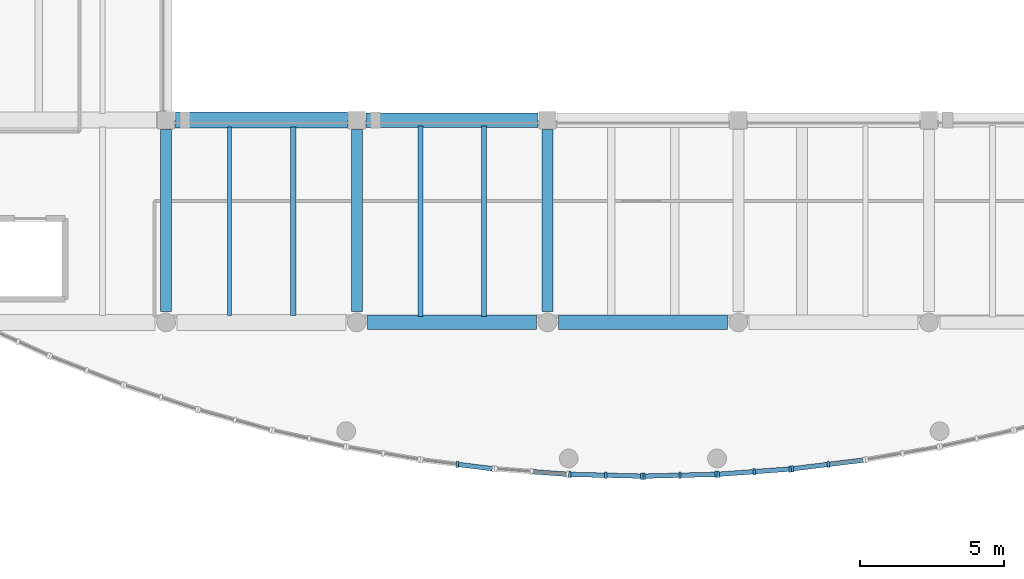
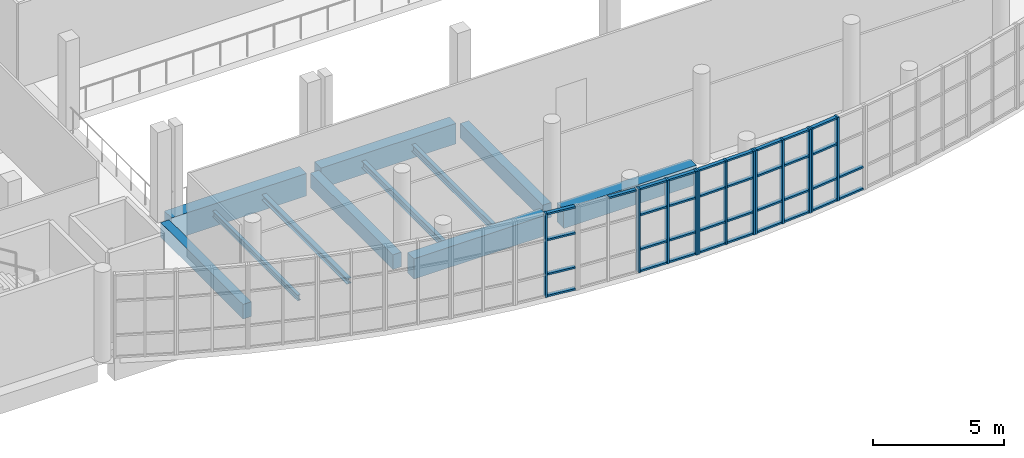
# One storey, part 11 of 67: 47 members, 11 beams, 6 elements without a shape of their own.
"""IFC4 building model written with IfcOpenShell, lengths in metres."""

import ifcopenshell
import ifcopenshell.guid

model = None  # the IFC model being written
_history = None  # IfcOwnerHistory: only IFC2X3 demands one
_inside = {}  # id of a spatial element -> (the spatial element, [elements in it])
_under = {}  # id of a project, library or spatial element -> (it, [spatial elements below it])
_declared = {}  # id of a project -> (the project, [libraries it declares])
_typed = {}  # id of a type object -> (the type object, [elements of that type])
_made_of = {}  # id of a material, layer set ... -> (it, [elements and type objects made of it])


def new_model(schema):
    """Start an empty IFC model of exactly this schema.

    Asked for "IFC4X3", IfcOpenShell would pick the latest addendum, in which some entities
    have other attributes; the version numbers below select the first issue.
    IFC2X3 requires an IfcOwnerHistory on every rooted entity: one is made here for all.
    """
    global model, _history
    if schema == "IFC4X3":
        model = ifcopenshell.file(schema_version=(4, 3, 0, 0))
    else:
        model = ifcopenshell.file(schema=schema)
    _inside.clear()
    _under.clear()
    _declared.clear()
    _typed.clear()
    _made_of.clear()
    _history = None
    if model.schema == "IFC2X3":
        org = make("IfcOrganization", Name="unknown")
        user = make(
            "IfcPersonAndOrganization",
            ThePerson=make("IfcPerson", FamilyName="unknown"),
            TheOrganization=org,
        )
        app = make(
            "IfcApplication",
            ApplicationDeveloper=org,
            Version="unknown",
            ApplicationFullName="unknown",
            ApplicationIdentifier="unknown",
        )
        _history = make(
            "IfcOwnerHistory",
            OwningUser=user,
            OwningApplication=app,
            ChangeAction="ADDED",
            CreationDate=0,
        )
    return model


def make(cls, **values):
    """One entity of the class cls with the attributes given. An attribute that is None is left unset."""
    return model.create_entity(
        cls, **{name: value for name, value in values.items() if value is not None}
    )


def rooted(cls, **values):
    """An entity with a GlobalId (a new one), such as an element, a storey or a relation."""
    return make(cls, GlobalId=ifcopenshell.guid.new(), OwnerHistory=_history, **values)


def si_unit(unit_type, name, prefix=None):
    """IfcSIUnit, for example si_unit("LENGTHUNIT", "METRE", prefix="MILLI")."""
    return make("IfcSIUnit", UnitType=unit_type, Prefix=prefix, Name=name)


def assignment(units):
    """IfcUnitAssignment: the units of a project."""
    return None if units is None else make("IfcUnitAssignment", Units=units)


def point(xyz):
    """IfcCartesianPoint."""
    return None if xyz is None else make("IfcCartesianPoint", Coordinates=xyz)


def direction(xyz):
    """IfcDirection."""
    return None if xyz is None else make("IfcDirection", DirectionRatios=xyz)


def frame(location, z_axis=None, x_axis=None):
    """IfcAxis2Placement3D, a coordinate frame: its origin and axes. An axis left out is left unset."""
    return make(
        "IfcAxis2Placement3D",
        Location=point(location),
        Axis=direction(z_axis),
        RefDirection=direction(x_axis),
    )


def frame_2d(location, x_axis=None):
    """IfcAxis2Placement2D, a coordinate frame in the plane: its origin and x axis."""
    return make(
        "IfcAxis2Placement2D", Location=point(location), RefDirection=direction(x_axis)
    )


def origin():
    """The frame at (0, 0, 0) with its axes left unset."""
    return frame((0.0, 0.0, 0.0))


def origin_2d():
    """The frame at (0, 0) in the plane with its x axis left unset."""
    return frame_2d((0.0, 0.0))


def place(relative_to, where):
    """IfcLocalPlacement: puts the frame where relative to a parent placement (None: the world)."""
    return make(
        "IfcLocalPlacement", PlacementRelTo=relative_to, RelativePlacement=where
    )


def context(
    kind, dimensions, precision=None, world=None, true_north=None, identifier=None
):
    """IfcGeometricRepresentationContext, for example the 3D "Model" context."""
    return make(
        "IfcGeometricRepresentationContext",
        ContextIdentifier=identifier,
        ContextType=kind,
        CoordinateSpaceDimension=dimensions,
        Precision=precision,
        WorldCoordinateSystem=world,
        TrueNorth=true_north,
    )


def subcontext(parent, identifier, kind, view, scale=None):
    """IfcGeometricRepresentationSubContext, for example "Body" below "Model"."""
    return make(
        "IfcGeometricRepresentationSubContext",
        ContextIdentifier=identifier,
        ContextType=kind,
        ParentContext=parent,
        TargetScale=scale,
        TargetView=view,
    )


def project(units=None, contexts=None):
    """IfcProject with its units and contexts."""
    return rooted(
        "IfcProject",
        Name="project",
        RepresentationContexts=contexts,
        UnitsInContext=assignment(units),
    )


def spatial(cls, under=None, at=None, **own):
    """A site, building, storey or space (cls), placed at a placement, below another one or the project."""
    s = rooted(cls, ObjectPlacement=at, **own)
    if under is not None:
        _under.setdefault(under.id(), (under, []))[1].append(s)
    return s


def profile(cls, at=None, kind="AREA", **sizes):
    """A parametric profile (cls). Its sizes go by their IFC names, for example OverallWidth=200.0."""
    return make(cls, ProfileType=kind, Position=at, **sizes)


def rectangle(**sizes):
    """IfcRectangleProfileDef."""
    return profile("IfcRectangleProfileDef", **sizes)


def i_section(**sizes):
    """IfcIShapeProfileDef."""
    return profile("IfcIShapeProfileDef", **sizes)


def extrude(swept, where, along, depth):
    """IfcExtrudedAreaSolid: the profile swept, set in the frame where, extruded along a direction by depth."""
    return make(
        "IfcExtrudedAreaSolid",
        SweptArea=swept,
        Position=where,
        ExtrudedDirection=direction(along),
        Depth=depth,
    )


def shape(context_of_items, identifier, shape_type, items):
    """IfcShapeRepresentation: the items that make up one representation, for example the "Body"."""
    return make(
        "IfcShapeRepresentation",
        ContextOfItems=context_of_items,
        RepresentationIdentifier=identifier,
        RepresentationType=shape_type,
        Items=items,
    )


def material(Name=None, Category=None):
    """IfcMaterial."""
    return make("IfcMaterial", Name=Name, Category=Category)


def material_profile(
    of_material, cross_section, Name=None, Category=None, Priority=None
):
    """IfcMaterialProfile: a cross section and its material."""
    return make(
        "IfcMaterialProfile",
        Name=Name,
        Material=of_material,
        Profile=cross_section,
        Priority=Priority,
        Category=Category,
    )


def profile_set(profiles, Name=None, composite=None):
    """IfcMaterialProfileSet."""
    return make(
        "IfcMaterialProfileSet",
        Name=Name,
        MaterialProfiles=profiles,
        CompositeProfile=composite,
    )


def made_of(thing, what):
    """Note that an element or type object is made of a material, layer set ...; save() writes the relation."""
    if what is not None:
        _made_of.setdefault(what.id(), (what, []))[1].append(thing)
    return thing


def type_object(cls, material=None, **own):
    """A type object (cls), such as IfcWallType, which elements share."""
    return made_of(rooted(cls, **own), material)


def element(
    cls,
    number,
    at=None,
    inside=None,
    cuts=None,
    type_object=None,
    material=None,
    context=None,
    identifier="Body",
    shape_type=None,
    held_by="IfcProductDefinitionShape",
    body=None,
    shapes=None,
    **own,
):
    """One element of the class cls, such as IfcWall. Its Tag is "e" and its number.

    at: its placement. inside: the storey or other place that contains it. cuts: it is an
    opening in that element (IfcRelVoidsElement). A single representation is given by context,
    identifier, shape_type and body (its items); several are given by shapes. held_by: the class
    of the entity that holds the representations. save() writes the other relations.
    """
    e = rooted(cls, Tag="e%d" % number, ObjectPlacement=at, **own)
    if body is not None:
        shapes = [shape(context, identifier, shape_type, body)]
    if shapes is not None:
        e.Representation = make(held_by, Representations=shapes)
    if inside is not None:
        _inside.setdefault(inside.id(), (inside, []))[1].append(e)
    if cuts is not None:
        rooted(
            "IfcRelVoidsElement", RelatingBuildingElement=cuts, RelatedOpeningElement=e
        )
    if type_object is not None:
        _typed.setdefault(type_object.id(), (type_object, []))[1].append(e)
    return made_of(e, material)


def aggregate(whole, parts):
    """IfcRelAggregates: a whole, such as a stair, and the parts it consists of."""
    return rooted("IfcRelAggregates", RelatingObject=whole, RelatedObjects=parts)


def save(model, path):
    """Write the relations noted so far, then the file.

    IfcRelAggregates (storeys below a building ...), IfcRelContainedInSpatialStructure (elements
    in a storey), IfcRelDefinesByType, IfcRelAssociatesMaterial and IfcRelDeclares: one each for
    every whole, place, type object, material and project.
    """
    for whole, parts in _under.values():
        aggregate(whole, parts)
    for where, things in _inside.values():
        rooted(
            "IfcRelContainedInSpatialStructure",
            RelatedElements=things,
            RelatingStructure=where,
        )
    for kind, things in _typed.values():
        rooted("IfcRelDefinesByType", RelatedObjects=things, RelatingType=kind)
    for what, things in _made_of.values():
        rooted("IfcRelAssociatesMaterial", RelatedObjects=things, RelatingMaterial=what)
    for by, libraries in _declared.values():
        rooted("IfcRelDeclares", RelatingContext=by, RelatedDefinitions=libraries)
    model.write(path)


model = new_model("IFC4")

# Units and contexts
model_context = context("Model", 3, precision=1e-05, world=origin(), true_north=direction((0.0, 1.0)))
body_context = subcontext(model_context, "Body", "Model", "MODEL_VIEW")
ifc_project = project(units=[si_unit("LENGTHUNIT", "METRE"), si_unit("AREAUNIT", "SQUARE_METRE"), si_unit("VOLUMEUNIT", "CUBIC_METRE"), si_unit("PLANEANGLEUNIT", "RADIAN"), si_unit("MASSUNIT", "GRAM", prefix="KILO")], contexts=[model_context])

# Site, building, storey
site_placement = place(None, origin())
site = spatial("IfcSite", under=ifc_project, at=site_placement, CompositionType="ELEMENT")
building_placement = place(site_placement, origin())
building = spatial("IfcBuilding", under=site, at=building_placement, Name="Ciguamira Faculty of Natural Sciences", CompositionType="ELEMENT")
storey_placement = place(building_placement, frame((0.0, 0.0, 8.39990234375)))
storey = spatial("IfcBuildingStorey", under=building, at=storey_placement, Name="L02", CompositionType="ELEMENT", Elevation=8.39990234375)

# Curtain wall, member
ifc_material_1 = material(Name="Anodized aluminium curtain wall", Category="aluminium")
curtain_wall_type_1 = type_object("IfcCurtainWallType", Name="CurtainWall_CW-12", PredefinedType="USERDEFINED", material=ifc_material_1)
curtain_wall_1_placement = place(storey_placement, origin())
curtain_wall_1 = element("IfcCurtainWall", 1, at=curtain_wall_1_placement, inside=storey, type_object=curtain_wall_type_1, Name="L02 south gallery curved curtain wall 07", ObjectType="UNITISED CURTAIN WALL", PredefinedType="USERDEFINED")
ifc_material_2 = material(Name="Anodized aluminium mullion", Category="aluminium")
ifc_material_profile_1 = material_profile(ifc_material_2, rectangle(XDim=0.080078125, YDim=0.219970703125, at=origin_2d()), Name="ALU-MUL-80X220")
ifc_profile_set_1 = profile_set([ifc_material_profile_1], Name="Anodized aluminium mullion")
member_type_1 = type_object("IfcMemberType", Name="CWMullion_CWM-03", PredefinedType="MULLION", material=ifc_profile_set_1)
member_1_placement = place(storey_placement, frame((80.583251953125, 5.0859375, 0.0), z_axis=(0.0, 0.0, 1.0), x_axis=(0.992585912631, -0.12154507825, 0.0)))
member_1 = element("IfcMember", 2, at=member_1_placement, type_object=member_type_1, Name="CW-12 mullion 2", PredefinedType="MULLION", context=body_context, shape_type="SweptSolid", body=[
    extrude(rectangle(XDim=0.080078125, YDim=0.219970703125, at=origin_2d()), origin(), (0.0, 0.0, 1.0), 3.900146484375),
])

# Curtain wall, members
curtain_wall_type_2 = type_object("IfcCurtainWallType", Name="CurtainWall_CW-02", PredefinedType="USERDEFINED", material=ifc_material_1)
curtain_wall_2_placement = place(storey_placement, origin())
curtain_wall_2 = element("IfcCurtainWall", 3, at=curtain_wall_2_placement, inside=storey, type_object=curtain_wall_type_2, Name="L02 south gallery curved curtain wall 09", ObjectType="UNITISED CURTAIN WALL", PredefinedType="USERDEFINED")
member_2_placement = place(storey_placement, frame((84.473388671875, 4.740234375, 0.0), z_axis=(0.0, 0.0, 1.0), x_axis=(0.999703662415, -0.024343117197, 0.0)))
member_2 = element("IfcMember", 4, at=member_2_placement, type_object=member_type_1, Name="CW-02 mullion 1", PredefinedType="MULLION", context=body_context, shape_type="SweptSolid", body=[
    extrude(rectangle(XDim=0.080078125, YDim=0.219970703125, at=origin_2d()), origin(), (0.0, 0.0, 1.0), 3.900146484375),
])
member_3_placement = place(storey_placement, frame((85.716552734375, 4.7099609375, 0.0), z_axis=(0.0, 0.0, 1.0), x_axis=(0.999703662415, -0.024343117197, 0.0)))
member_3 = element("IfcMember", 5, at=member_3_placement, type_object=member_type_1, Name="CW-02 mullion 2", PredefinedType="MULLION", context=body_context, shape_type="SweptSolid", body=[
    extrude(rectangle(XDim=0.080078125, YDim=0.219970703125, at=origin_2d()), origin(), (0.0, 0.0, 1.0), 3.900146484375),
])
member_4_placement = place(storey_placement, frame((86.9599609375, 4.6796875, 0.0), z_axis=(0.0, 0.0, 1.0), x_axis=(0.999703662415, -0.024343117197, 0.0)))
member_4 = element("IfcMember", 6, at=member_4_placement, type_object=member_type_1, Name="CW-02 mullion 3", PredefinedType="MULLION", context=body_context, shape_type="SweptSolid", body=[
    extrude(rectangle(XDim=0.080078125, YDim=0.219970703125, at=origin_2d()), origin(), (0.0, 0.0, 1.0), 3.900146484375),
])

curtain_wall_type_3 = type_object("IfcCurtainWallType", Name="CurtainWall_CW-03", PredefinedType="USERDEFINED", material=ifc_material_1)
curtain_wall_3_placement = place(storey_placement, origin())
curtain_wall_3 = element("IfcCurtainWall", 7, at=curtain_wall_3_placement, inside=storey, type_object=curtain_wall_type_3, Name="L02 south gallery curved curtain wall 10", ObjectType="UNITISED CURTAIN WALL", PredefinedType="USERDEFINED")
member_5_placement = place(storey_placement, frame((87.0400390625, 4.6796875, 0.0), z_axis=(0.0, 0.0, 1.0), x_axis=(0.999703662415, 0.024343117197, 0.0)))
member_5 = element("IfcMember", 8, at=member_5_placement, type_object=member_type_1, Name="CW-03 mullion 1", PredefinedType="MULLION", context=body_context, shape_type="SweptSolid", body=[
    extrude(rectangle(XDim=0.080078125, YDim=0.219970703125, at=origin_2d()), origin(), (0.0, 0.0, 1.0), 3.900146484375),
])
member_6_placement = place(storey_placement, frame((88.283447265625, 4.7099609375, 0.0), z_axis=(0.0, 0.0, 1.0), x_axis=(0.999703662415, 0.024343117197, 0.0)))
member_6 = element("IfcMember", 9, at=member_6_placement, type_object=member_type_1, Name="CW-03 mullion 2", PredefinedType="MULLION", context=body_context, shape_type="SweptSolid", body=[
    extrude(rectangle(XDim=0.080078125, YDim=0.219970703125, at=origin_2d()), origin(), (0.0, 0.0, 1.0), 3.900146484375),
])
member_7_placement = place(storey_placement, frame((89.526611328125, 4.740234375, 0.0), z_axis=(0.0, 0.0, 1.0), x_axis=(0.999703662415, 0.024343117197, 0.0)))
member_7 = element("IfcMember", 10, at=member_7_placement, type_object=member_type_1, Name="CW-03 mullion 3", PredefinedType="MULLION", context=body_context, shape_type="SweptSolid", body=[
    extrude(rectangle(XDim=0.080078125, YDim=0.219970703125, at=origin_2d()), origin(), (0.0, 0.0, 1.0), 3.900146484375),
])

curtain_wall_type_4 = type_object("IfcCurtainWallType", Name="CurtainWall_CW-04", PredefinedType="USERDEFINED", material=ifc_material_1)
curtain_wall_4_placement = place(storey_placement, origin())
curtain_wall_4 = element("IfcCurtainWall", 11, at=curtain_wall_4_placement, inside=storey, type_object=curtain_wall_type_4, Name="L02 south gallery curved curtain wall 11", ObjectType="UNITISED CURTAIN WALL", PredefinedType="USERDEFINED")
member_8_placement = place(storey_placement, frame((89.606689453125, 4.744140625, 0.0), z_axis=(0.0, 0.0, 1.0), x_axis=(0.99733655099, 0.072936986916, 0.0)))
member_8 = element("IfcMember", 12, at=member_8_placement, type_object=member_type_1, Name="CW-04 mullion 1", PredefinedType="MULLION", context=body_context, shape_type="SweptSolid", body=[
    extrude(rectangle(XDim=0.080078125, YDim=0.219970703125, at=origin_2d()), origin(), (0.0, 0.0, 1.0), 3.900146484375),
])
member_9_placement = place(storey_placement, frame((90.85009765625, 4.8349609375, 0.0), z_axis=(0.0, 0.0, 1.0), x_axis=(0.99733655099, 0.072936986916, 0.0)))
member_9 = element("IfcMember", 13, at=member_9_placement, type_object=member_type_1, Name="CW-04 mullion 2", PredefinedType="MULLION", context=body_context, shape_type="SweptSolid", body=[
    extrude(rectangle(XDim=0.080078125, YDim=0.219970703125, at=origin_2d()), origin(), (0.0, 0.0, 1.0), 3.900146484375),
])
member_10_placement = place(storey_placement, frame((92.093505859375, 4.926025390625, 0.0), z_axis=(0.0, 0.0, 1.0), x_axis=(0.99733655099, 0.072936986916, 0.0)))
member_10 = element("IfcMember", 14, at=member_10_placement, type_object=member_type_1, Name="CW-04 mullion 3", PredefinedType="MULLION", context=body_context, shape_type="SweptSolid", body=[
    extrude(rectangle(XDim=0.080078125, YDim=0.219970703125, at=origin_2d()), origin(), (0.0, 0.0, 1.0), 3.900146484375),
])

curtain_wall_type_5 = type_object("IfcCurtainWallType", Name="CurtainWall_CW-05", PredefinedType="USERDEFINED", material=ifc_material_1)
curtain_wall_5_placement = place(storey_placement, origin())
curtain_wall_5 = element("IfcCurtainWall", 15, at=curtain_wall_5_placement, inside=storey, type_object=curtain_wall_type_5, Name="L02 south gallery curved curtain wall 12", ObjectType="UNITISED CURTAIN WALL", PredefinedType="USERDEFINED")
member_11_placement = place(storey_placement, frame((92.173095703125, 4.933837890625, 0.0), z_axis=(0.0, 0.0, 1.0), x_axis=(0.992585912631, 0.12154507825, 0.0)))
member_11 = element("IfcMember", 16, at=member_11_placement, type_object=member_type_1, Name="CW-05 mullion 1", PredefinedType="MULLION", context=body_context, shape_type="SweptSolid", body=[
    extrude(rectangle(XDim=0.080078125, YDim=0.219970703125, at=origin_2d()), origin(), (0.0, 0.0, 1.0), 3.900146484375),
])
member_12_placement = place(storey_placement, frame((93.416748046875, 5.0859375, 0.0), z_axis=(0.0, 0.0, 1.0), x_axis=(0.992585912631, 0.12154507825, 0.0)))
member_12 = element("IfcMember", 17, at=member_12_placement, type_object=member_type_1, Name="CW-05 mullion 2", PredefinedType="MULLION", context=body_context, shape_type="SweptSolid", body=[
    extrude(rectangle(XDim=0.080078125, YDim=0.219970703125, at=origin_2d()), origin(), (0.0, 0.0, 1.0), 3.900146484375),
])

# Member
ifc_material_3 = material(Name="Anodized aluminium transom", Category="aluminium")
ifc_material_profile_2 = material_profile(ifc_material_3, rectangle(XDim=0.080078125, YDim=0.159912109375, at=origin_2d()), Name="ALU-TRN-80X160")
ifc_profile_set_2 = profile_set([ifc_material_profile_2], Name="Anodized aluminium transom")
member_type_2 = type_object("IfcMemberType", Name="CWTransom_CWT-03", PredefinedType="USERDEFINED", material=ifc_profile_set_2)
member_13_placement = place(storey_placement, frame((80.623046875, 5.081298828125, 0.0400390625), z_axis=(0.992585363796, -0.121549560171, 0.0), x_axis=(0.0, 0.0, 1.0)))
member_13 = element("IfcMember", 18, at=member_13_placement, type_object=member_type_2, Name="CW-12 transom 2.1", ObjectType="TRANSOM", PredefinedType="USERDEFINED", context=body_context, shape_type="SweptSolid", body=[
    extrude(rectangle(XDim=0.080078125, YDim=0.159912109375, at=origin_2d()), origin(), (0.0, 0.0, 1.0), 1.173095703125),
])

member_14_placement = place(storey_placement, frame((80.623046875, 5.081298828125, 1.050048828125), z_axis=(0.992585363796, -0.121549560171, 0.0), x_axis=(0.0, 0.0, 1.0)))
member_14 = element("IfcMember", 19, at=member_14_placement, type_object=member_type_2, Name="CW-12 transom 2.2", ObjectType="TRANSOM", PredefinedType="USERDEFINED", context=body_context, shape_type="SweptSolid", body=[
    extrude(rectangle(XDim=0.080078125, YDim=0.159912109375, at=origin_2d()), origin(), (0.0, 0.0, 1.0), 1.173095703125),
])

member_15_placement = place(storey_placement, frame((80.623046875, 5.081298828125, 2.650146484375), z_axis=(0.992585363796, -0.121549560171, 0.0), x_axis=(0.0, 0.0, 1.0)))
member_15 = element("IfcMember", 20, at=member_15_placement, type_object=member_type_2, Name="CW-12 transom 2.3", ObjectType="TRANSOM", PredefinedType="USERDEFINED", context=body_context, shape_type="SweptSolid", body=[
    extrude(rectangle(XDim=0.080078125, YDim=0.159912109375, at=origin_2d()), origin(), (0.0, 0.0, 1.0), 1.173095703125),
])

member_16_placement = place(storey_placement, frame((80.623046875, 5.081298828125, 3.860107421875), z_axis=(0.992585363796, -0.121549560171, 0.0), x_axis=(0.0, 0.0, 1.0)))
member_16 = element("IfcMember", 21, at=member_16_placement, type_object=member_type_2, Name="CW-12 transom 2.4", ObjectType="TRANSOM", PredefinedType="USERDEFINED", context=body_context, shape_type="SweptSolid", body=[
    extrude(rectangle(XDim=0.080078125, YDim=0.159912109375, at=origin_2d()), origin(), (0.0, 0.0, 1.0), 1.173095703125),
])

aggregate(curtain_wall_1, [member_1, member_13, member_14, member_15, member_16])

# Curtain wall, member
curtain_wall_type_6 = type_object("IfcCurtainWallType", Name="CurtainWall_CW-01", PredefinedType="USERDEFINED", material=ifc_material_1)
curtain_wall_6_placement = place(storey_placement, origin())
curtain_wall_6 = element("IfcCurtainWall", 22, at=curtain_wall_6_placement, inside=storey, type_object=curtain_wall_type_6, Name="L02 south gallery curved curtain wall 08", ObjectType="UNITISED CURTAIN WALL", PredefinedType="USERDEFINED")
member_17_placement = place(storey_placement, frame((83.18994140625, 4.83203125, 3.860107421875), z_axis=(0.997344856117, -0.072823334018, 0.0), x_axis=(0.0, 0.0, 1.0)))
member_17 = element("IfcMember", 23, at=member_17_placement, type_object=member_type_2, Name="CW-01 transom 2.4", ObjectType="TRANSOM", PredefinedType="USERDEFINED", context=body_context, shape_type="SweptSolid", body=[
    extrude(rectangle(XDim=0.080078125, YDim=0.159912109375, at=origin_2d()), origin(), (0.0, 0.0, 1.0), 1.166748046875),
])
aggregate(curtain_wall_6, [member_17])

# Member
member_18_placement = place(storey_placement, frame((84.51318359375, 4.7392578125, 0.0400390625), z_axis=(0.999703936407, -0.024331862489, 0.0), x_axis=(0.0, 0.0, 1.0)))
member_18 = element("IfcMember", 24, at=member_18_placement, type_object=member_type_2, Name="CW-02 transom 1.1", ObjectType="TRANSOM", PredefinedType="USERDEFINED", context=body_context, shape_type="SweptSolid", body=[
    extrude(rectangle(XDim=0.080078125, YDim=0.159912109375, at=origin_2d()), origin(), (0.0, 0.0, 1.0), 1.163818359375),
])

member_19_placement = place(storey_placement, frame((84.51318359375, 4.7392578125, 1.050048828125), z_axis=(0.999703936407, -0.024331862489, 0.0), x_axis=(0.0, 0.0, 1.0)))
member_19 = element("IfcMember", 25, at=member_19_placement, type_object=member_type_2, Name="CW-02 transom 1.2", ObjectType="TRANSOM", PredefinedType="USERDEFINED", context=body_context, shape_type="SweptSolid", body=[
    extrude(rectangle(XDim=0.080078125, YDim=0.159912109375, at=origin_2d()), origin(), (0.0, 0.0, 1.0), 1.163818359375),
])

member_20_placement = place(storey_placement, frame((84.51318359375, 4.7392578125, 2.650146484375), z_axis=(0.999703936407, -0.024331862489, 0.0), x_axis=(0.0, 0.0, 1.0)))
member_20 = element("IfcMember", 26, at=member_20_placement, type_object=member_type_2, Name="CW-02 transom 1.3", ObjectType="TRANSOM", PredefinedType="USERDEFINED", context=body_context, shape_type="SweptSolid", body=[
    extrude(rectangle(XDim=0.080078125, YDim=0.159912109375, at=origin_2d()), origin(), (0.0, 0.0, 1.0), 1.163818359375),
])

member_21_placement = place(storey_placement, frame((84.51318359375, 4.7392578125, 3.860107421875), z_axis=(0.999703936407, -0.024331862489, 0.0), x_axis=(0.0, 0.0, 1.0)))
member_21 = element("IfcMember", 27, at=member_21_placement, type_object=member_type_2, Name="CW-02 transom 1.4", ObjectType="TRANSOM", PredefinedType="USERDEFINED", context=body_context, shape_type="SweptSolid", body=[
    extrude(rectangle(XDim=0.080078125, YDim=0.159912109375, at=origin_2d()), origin(), (0.0, 0.0, 1.0), 1.163818359375),
])

member_22_placement = place(storey_placement, frame((85.756591796875, 4.708984375, 0.0400390625), z_axis=(0.999703812183, -0.024336965837, 0.0), x_axis=(0.0, 0.0, 1.0)))
member_22 = element("IfcMember", 28, at=member_22_placement, type_object=member_type_2, Name="CW-02 transom 2.1", ObjectType="TRANSOM", PredefinedType="USERDEFINED", context=body_context, shape_type="SweptSolid", body=[
    extrude(rectangle(XDim=0.080078125, YDim=0.159912109375, at=origin_2d()), origin(), (0.0, 0.0, 1.0), 1.16357421875),
])

member_23_placement = place(storey_placement, frame((85.756591796875, 4.708984375, 1.050048828125), z_axis=(0.999703812183, -0.024336965837, 0.0), x_axis=(0.0, 0.0, 1.0)))
member_23 = element("IfcMember", 29, at=member_23_placement, type_object=member_type_2, Name="CW-02 transom 2.2", ObjectType="TRANSOM", PredefinedType="USERDEFINED", context=body_context, shape_type="SweptSolid", body=[
    extrude(rectangle(XDim=0.080078125, YDim=0.159912109375, at=origin_2d()), origin(), (0.0, 0.0, 1.0), 1.16357421875),
])

member_24_placement = place(storey_placement, frame((85.756591796875, 4.708984375, 2.650146484375), z_axis=(0.999703812183, -0.024336965837, 0.0), x_axis=(0.0, 0.0, 1.0)))
member_24 = element("IfcMember", 30, at=member_24_placement, type_object=member_type_2, Name="CW-02 transom 2.3", ObjectType="TRANSOM", PredefinedType="USERDEFINED", context=body_context, shape_type="SweptSolid", body=[
    extrude(rectangle(XDim=0.080078125, YDim=0.159912109375, at=origin_2d()), origin(), (0.0, 0.0, 1.0), 1.16357421875),
])

member_25_placement = place(storey_placement, frame((85.756591796875, 4.708984375, 3.860107421875), z_axis=(0.999703812183, -0.024336965837, 0.0), x_axis=(0.0, 0.0, 1.0)))
member_25 = element("IfcMember", 31, at=member_25_placement, type_object=member_type_2, Name="CW-02 transom 2.4", ObjectType="TRANSOM", PredefinedType="USERDEFINED", context=body_context, shape_type="SweptSolid", body=[
    extrude(rectangle(XDim=0.080078125, YDim=0.159912109375, at=origin_2d()), origin(), (0.0, 0.0, 1.0), 1.16357421875),
])

aggregate(curtain_wall_2, [member_2, member_3, member_4, member_18, member_19, member_20, member_21, member_22, member_23, member_24, member_25])

member_26_placement = place(storey_placement, frame((87.080078125, 4.6806640625, 0.0400390625), z_axis=(0.999703812183, 0.024336965837, 0.0), x_axis=(0.0, 0.0, 1.0)))
member_26 = element("IfcMember", 32, at=member_26_placement, type_object=member_type_2, Name="CW-03 transom 1.1", ObjectType="TRANSOM", PredefinedType="USERDEFINED", context=body_context, shape_type="SweptSolid", body=[
    extrude(rectangle(XDim=0.080078125, YDim=0.159912109375, at=origin_2d()), origin(), (0.0, 0.0, 1.0), 1.16357421875),
])

member_27_placement = place(storey_placement, frame((87.080078125, 4.6806640625, 1.050048828125), z_axis=(0.999703812183, 0.024336965837, 0.0), x_axis=(0.0, 0.0, 1.0)))
member_27 = element("IfcMember", 33, at=member_27_placement, type_object=member_type_2, Name="CW-03 transom 1.2", ObjectType="TRANSOM", PredefinedType="USERDEFINED", context=body_context, shape_type="SweptSolid", body=[
    extrude(rectangle(XDim=0.080078125, YDim=0.159912109375, at=origin_2d()), origin(), (0.0, 0.0, 1.0), 1.16357421875),
])

member_28_placement = place(storey_placement, frame((87.080078125, 4.6806640625, 2.650146484375), z_axis=(0.999703812183, 0.024336965837, 0.0), x_axis=(0.0, 0.0, 1.0)))
member_28 = element("IfcMember", 34, at=member_28_placement, type_object=member_type_2, Name="CW-03 transom 1.3", ObjectType="TRANSOM", PredefinedType="USERDEFINED", context=body_context, shape_type="SweptSolid", body=[
    extrude(rectangle(XDim=0.080078125, YDim=0.159912109375, at=origin_2d()), origin(), (0.0, 0.0, 1.0), 1.16357421875),
])

member_29_placement = place(storey_placement, frame((87.080078125, 4.6806640625, 3.860107421875), z_axis=(0.999703812183, 0.024336965837, 0.0), x_axis=(0.0, 0.0, 1.0)))
member_29 = element("IfcMember", 35, at=member_29_placement, type_object=member_type_2, Name="CW-03 transom 1.4", ObjectType="TRANSOM", PredefinedType="USERDEFINED", context=body_context, shape_type="SweptSolid", body=[
    extrude(rectangle(XDim=0.080078125, YDim=0.159912109375, at=origin_2d()), origin(), (0.0, 0.0, 1.0), 1.16357421875),
])

member_30_placement = place(storey_placement, frame((88.3232421875, 4.7109375, 0.0400390625), z_axis=(0.999703936407, 0.024331862489, 0.0), x_axis=(0.0, 0.0, 1.0)))
member_30 = element("IfcMember", 36, at=member_30_placement, type_object=member_type_2, Name="CW-03 transom 2.1", ObjectType="TRANSOM", PredefinedType="USERDEFINED", context=body_context, shape_type="SweptSolid", body=[
    extrude(rectangle(XDim=0.080078125, YDim=0.159912109375, at=origin_2d()), origin(), (0.0, 0.0, 1.0), 1.163818359375),
])

member_31_placement = place(storey_placement, frame((88.3232421875, 4.7109375, 1.050048828125), z_axis=(0.999703936407, 0.024331862489, 0.0), x_axis=(0.0, 0.0, 1.0)))
member_31 = element("IfcMember", 37, at=member_31_placement, type_object=member_type_2, Name="CW-03 transom 2.2", ObjectType="TRANSOM", PredefinedType="USERDEFINED", context=body_context, shape_type="SweptSolid", body=[
    extrude(rectangle(XDim=0.080078125, YDim=0.159912109375, at=origin_2d()), origin(), (0.0, 0.0, 1.0), 1.163818359375),
])

member_32_placement = place(storey_placement, frame((88.3232421875, 4.7109375, 2.650146484375), z_axis=(0.999703936407, 0.024331862489, 0.0), x_axis=(0.0, 0.0, 1.0)))
member_32 = element("IfcMember", 38, at=member_32_placement, type_object=member_type_2, Name="CW-03 transom 2.3", ObjectType="TRANSOM", PredefinedType="USERDEFINED", context=body_context, shape_type="SweptSolid", body=[
    extrude(rectangle(XDim=0.080078125, YDim=0.159912109375, at=origin_2d()), origin(), (0.0, 0.0, 1.0), 1.163818359375),
])

member_33_placement = place(storey_placement, frame((88.3232421875, 4.7109375, 3.860107421875), z_axis=(0.999703936407, 0.024331862489, 0.0), x_axis=(0.0, 0.0, 1.0)))
member_33 = element("IfcMember", 39, at=member_33_placement, type_object=member_type_2, Name="CW-03 transom 2.4", ObjectType="TRANSOM", PredefinedType="USERDEFINED", context=body_context, shape_type="SweptSolid", body=[
    extrude(rectangle(XDim=0.080078125, YDim=0.159912109375, at=origin_2d()), origin(), (0.0, 0.0, 1.0), 1.163818359375),
])

aggregate(curtain_wall_3, [member_5, member_6, member_7, member_26, member_27, member_28, member_29, member_30, member_31, member_32, member_33])

member_34_placement = place(storey_placement, frame((89.646484375, 4.7470703125, 0.0400390625), z_axis=(0.997344856117, 0.072823334018, 0.0), x_axis=(0.0, 0.0, 1.0)))
member_34 = element("IfcMember", 40, at=member_34_placement, type_object=member_type_2, Name="CW-04 transom 1.1", ObjectType="TRANSOM", PredefinedType="USERDEFINED", context=body_context, shape_type="SweptSolid", body=[
    extrude(rectangle(XDim=0.080078125, YDim=0.159912109375, at=origin_2d()), origin(), (0.0, 0.0, 1.0), 1.166748046875),
])

member_35_placement = place(storey_placement, frame((89.646484375, 4.7470703125, 1.050048828125), z_axis=(0.997344856117, 0.072823334018, 0.0), x_axis=(0.0, 0.0, 1.0)))
member_35 = element("IfcMember", 41, at=member_35_placement, type_object=member_type_2, Name="CW-04 transom 1.2", ObjectType="TRANSOM", PredefinedType="USERDEFINED", context=body_context, shape_type="SweptSolid", body=[
    extrude(rectangle(XDim=0.080078125, YDim=0.159912109375, at=origin_2d()), origin(), (0.0, 0.0, 1.0), 1.166748046875),
])

member_36_placement = place(storey_placement, frame((89.646484375, 4.7470703125, 2.650146484375), z_axis=(0.997344856117, 0.072823334018, 0.0), x_axis=(0.0, 0.0, 1.0)))
member_36 = element("IfcMember", 42, at=member_36_placement, type_object=member_type_2, Name="CW-04 transom 1.3", ObjectType="TRANSOM", PredefinedType="USERDEFINED", context=body_context, shape_type="SweptSolid", body=[
    extrude(rectangle(XDim=0.080078125, YDim=0.159912109375, at=origin_2d()), origin(), (0.0, 0.0, 1.0), 1.166748046875),
])

member_37_placement = place(storey_placement, frame((89.646484375, 4.7470703125, 3.860107421875), z_axis=(0.997344856117, 0.072823334018, 0.0), x_axis=(0.0, 0.0, 1.0)))
member_37 = element("IfcMember", 43, at=member_37_placement, type_object=member_type_2, Name="CW-04 transom 1.4", ObjectType="TRANSOM", PredefinedType="USERDEFINED", context=body_context, shape_type="SweptSolid", body=[
    extrude(rectangle(XDim=0.080078125, YDim=0.159912109375, at=origin_2d()), origin(), (0.0, 0.0, 1.0), 1.166748046875),
])

member_38_placement = place(storey_placement, frame((90.889892578125, 4.837890625, 0.0400390625), z_axis=(0.997329635901, 0.073031481941, 0.0), x_axis=(0.0, 0.0, 1.0)))
member_38 = element("IfcMember", 44, at=member_38_placement, type_object=member_type_2, Name="CW-04 transom 2.1", ObjectType="TRANSOM", PredefinedType="USERDEFINED", context=body_context, shape_type="SweptSolid", body=[
    extrude(rectangle(XDim=0.080078125, YDim=0.159912109375, at=origin_2d()), origin(), (0.0, 0.0, 1.0), 1.166748046875),
])

member_39_placement = place(storey_placement, frame((90.889892578125, 4.837890625, 1.050048828125), z_axis=(0.997329635901, 0.073031481941, 0.0), x_axis=(0.0, 0.0, 1.0)))
member_39 = element("IfcMember", 45, at=member_39_placement, type_object=member_type_2, Name="CW-04 transom 2.2", ObjectType="TRANSOM", PredefinedType="USERDEFINED", context=body_context, shape_type="SweptSolid", body=[
    extrude(rectangle(XDim=0.080078125, YDim=0.159912109375, at=origin_2d()), origin(), (0.0, 0.0, 1.0), 1.166748046875),
])

member_40_placement = place(storey_placement, frame((90.889892578125, 4.837890625, 2.650146484375), z_axis=(0.997329635901, 0.073031481941, 0.0), x_axis=(0.0, 0.0, 1.0)))
member_40 = element("IfcMember", 46, at=member_40_placement, type_object=member_type_2, Name="CW-04 transom 2.3", ObjectType="TRANSOM", PredefinedType="USERDEFINED", context=body_context, shape_type="SweptSolid", body=[
    extrude(rectangle(XDim=0.080078125, YDim=0.159912109375, at=origin_2d()), origin(), (0.0, 0.0, 1.0), 1.166748046875),
])

member_41_placement = place(storey_placement, frame((90.889892578125, 4.837890625, 3.860107421875), z_axis=(0.997329635901, 0.073031481941, 0.0), x_axis=(0.0, 0.0, 1.0)))
member_41 = element("IfcMember", 47, at=member_41_placement, type_object=member_type_2, Name="CW-04 transom 2.4", ObjectType="TRANSOM", PredefinedType="USERDEFINED", context=body_context, shape_type="SweptSolid", body=[
    extrude(rectangle(XDim=0.080078125, YDim=0.159912109375, at=origin_2d()), origin(), (0.0, 0.0, 1.0), 1.166748046875),
])

aggregate(curtain_wall_4, [member_8, member_9, member_10, member_34, member_35, member_36, member_37, member_38, member_39, member_40, member_41])

member_42_placement = place(storey_placement, frame((92.212646484375, 4.938720703125, 0.0400390625), z_axis=(0.992585363796, 0.121549560171, 0.0), x_axis=(0.0, 0.0, 1.0)))
member_42 = element("IfcMember", 48, at=member_42_placement, type_object=member_type_2, Name="CW-05 transom 1.1", ObjectType="TRANSOM", PredefinedType="USERDEFINED", context=body_context, shape_type="SweptSolid", body=[
    extrude(rectangle(XDim=0.080078125, YDim=0.159912109375, at=origin_2d()), origin(), (0.0, 0.0, 1.0), 1.173095703125),
])

member_43_placement = place(storey_placement, frame((92.212646484375, 4.938720703125, 1.050048828125), z_axis=(0.992585363796, 0.121549560171, 0.0), x_axis=(0.0, 0.0, 1.0)))
member_43 = element("IfcMember", 49, at=member_43_placement, type_object=member_type_2, Name="CW-05 transom 1.2", ObjectType="TRANSOM", PredefinedType="USERDEFINED", context=body_context, shape_type="SweptSolid", body=[
    extrude(rectangle(XDim=0.080078125, YDim=0.159912109375, at=origin_2d()), origin(), (0.0, 0.0, 1.0), 1.173095703125),
])

member_44_placement = place(storey_placement, frame((92.212646484375, 4.938720703125, 2.650146484375), z_axis=(0.992585363796, 0.121549560171, 0.0), x_axis=(0.0, 0.0, 1.0)))
member_44 = element("IfcMember", 50, at=member_44_placement, type_object=member_type_2, Name="CW-05 transom 1.3", ObjectType="TRANSOM", PredefinedType="USERDEFINED", context=body_context, shape_type="SweptSolid", body=[
    extrude(rectangle(XDim=0.080078125, YDim=0.159912109375, at=origin_2d()), origin(), (0.0, 0.0, 1.0), 1.173095703125),
])

member_45_placement = place(storey_placement, frame((92.212646484375, 4.938720703125, 3.860107421875), z_axis=(0.992585363796, 0.121549560171, 0.0), x_axis=(0.0, 0.0, 1.0)))
member_45 = element("IfcMember", 51, at=member_45_placement, type_object=member_type_2, Name="CW-05 transom 1.4", ObjectType="TRANSOM", PredefinedType="USERDEFINED", context=body_context, shape_type="SweptSolid", body=[
    extrude(rectangle(XDim=0.080078125, YDim=0.159912109375, at=origin_2d()), origin(), (0.0, 0.0, 1.0), 1.173095703125),
])

member_46_placement = place(storey_placement, frame((93.456298828125, 5.0908203125, 0.0400390625), z_axis=(0.992585363796, 0.121549560171, 0.0), x_axis=(0.0, 0.0, 1.0)))
member_46 = element("IfcMember", 52, at=member_46_placement, type_object=member_type_2, Name="CW-05 transom 2.1", ObjectType="TRANSOM", PredefinedType="USERDEFINED", context=body_context, shape_type="SweptSolid", body=[
    extrude(rectangle(XDim=0.080078125, YDim=0.159912109375, at=origin_2d()), origin(), (0.0, 0.0, 1.0), 1.173095703125),
])

member_47_placement = place(storey_placement, frame((93.456298828125, 5.0908203125, 1.050048828125), z_axis=(0.992585363796, 0.121549560171, 0.0), x_axis=(0.0, 0.0, 1.0)))
member_47 = element("IfcMember", 53, at=member_47_placement, type_object=member_type_2, Name="CW-05 transom 2.2", ObjectType="TRANSOM", PredefinedType="USERDEFINED", context=body_context, shape_type="SweptSolid", body=[
    extrude(rectangle(XDim=0.080078125, YDim=0.159912109375, at=origin_2d()), origin(), (0.0, 0.0, 1.0), 1.173095703125),
])

aggregate(curtain_wall_5, [member_11, member_12, member_42, member_43, member_44, member_45, member_46, member_47])

# Beams
ifc_material_4 = material(Name="Concrete C40/50", Category="concrete")
ifc_material_profile_3 = material_profile(ifc_material_4, rectangle(XDim=0.550048828125, YDim=1.050048828125, at=origin_2d()), Name="RC-BM-550X1050")
ifc_profile_set_3 = profile_set([ifc_material_profile_3], Name="Concrete C40/50")
beam_type_1 = type_object("IfcBeamType", Name="RCBeam_BG-01_RC-BM-550X1050", PredefinedType="BEAM", material=ifc_profile_set_3)
beam_1_placement = place(storey_placement, frame((70.824951171875, 17.0, -0.52490234375), z_axis=(1.0, 0.0, 0.0), x_axis=(0.0, 1.0, 0.0)))
element("IfcBeam", 54, at=beam_1_placement, inside=storey, type_object=beam_type_1, Name="L02 RC girder EW-0740", PredefinedType="BEAM", context=body_context, shape_type="SweptSolid", body=[
    extrude(rectangle(XDim=0.550048828125, YDim=1.050048828125, at=origin_2d()), origin(), (0.0, 0.0, 1.0), 5.949951171875),
])
ifc_material_profile_4 = material_profile(ifc_material_4, rectangle(XDim=0.5, YDim=0.949951171875, at=origin_2d()), Name="RC-BM-500X950")
ifc_profile_set_4 = profile_set([ifc_material_profile_4], Name="Concrete C40/50")
beam_type_2 = type_object("IfcBeamType", Name="RCBeam_BG-02_RC-BM-500X950", PredefinedType="BEAM", material=ifc_profile_set_4)
beam_2_placement = place(storey_placement, frame((77.47509765625, 10.0, -0.474853515625), z_axis=(1.0, 0.0, 0.0), x_axis=(0.0, 1.0, 0.0)))
element("IfcBeam", 55, at=beam_2_placement, inside=storey, type_object=beam_type_2, Name="L02 RC girder EW-0723", PredefinedType="BEAM", context=body_context, shape_type="SweptSolid", body=[
    extrude(rectangle(XDim=0.5, YDim=0.949951171875, at=origin_2d()), origin(), (0.0, 0.0, 1.0), 5.849853515625),
])
beam_3_placement = place(storey_placement, frame((77.425048828125, 17.0, -0.474853515625), z_axis=(1.0, 0.0, 0.0), x_axis=(0.0, 1.0, 0.0)))
element("IfcBeam", 56, at=beam_3_placement, inside=storey, type_object=beam_type_2, Name="L02 RC girder EW-0741", PredefinedType="BEAM", context=body_context, shape_type="SweptSolid", body=[
    extrude(rectangle(XDim=0.5, YDim=0.949951171875, at=origin_2d()), origin(), (0.0, 0.0, 1.0), 5.949951171875),
])
ifc_material_profile_5 = material_profile(ifc_material_4, rectangle(XDim=0.5, YDim=0.89990234375, at=origin_2d()), Name="RC-BM-500X900")
ifc_profile_set_5 = profile_set([ifc_material_profile_5], Name="Concrete C40/50")
beam_type_3 = type_object("IfcBeamType", Name="RCBeam_BG-03_RC-BM-500X900", PredefinedType="BEAM", material=ifc_profile_set_5)
beam_4_placement = place(storey_placement, frame((84.074951171875, 10.0, -0.449951171875), z_axis=(1.0, 0.0, 0.0), x_axis=(0.0, 1.0, 0.0)))
element("IfcBeam", 57, at=beam_4_placement, inside=storey, type_object=beam_type_3, Name="L02 RC girder EW-0724", PredefinedType="BEAM", context=body_context, shape_type="SweptSolid", body=[
    extrude(rectangle(XDim=0.5, YDim=0.89990234375, at=origin_2d()), origin(), (0.0, 0.0, 1.0), 5.85009765625),
])
ifc_material_profile_6 = material_profile(ifc_material_4, rectangle(XDim=0.3798828125, YDim=0.679931640625, at=origin_2d()), Name="RC-BM-380X680")
ifc_profile_set_6 = profile_set([ifc_material_profile_6], Name="Concrete C40/50")
beam_type_4 = type_object("IfcBeamType", Name="RCBeam_BG-09_RC-BM-380X680", PredefinedType="BEAM", material=ifc_profile_set_6)
for number, where, z_axis, x_axis, name in (
    (58, (70.5, 10.375, -0.33984375), (0.0, 1.0, 0.0), (-1.0, 0.0, 0.0), "L02 girder NS-0921"),
    (59, (77.10009765625, 10.375, -0.33984375), (0.0, 1.0, 0.0), (-1.0, 0.0, 0.0), "L02 girder NS-0933"),
    (60, (83.699951171875, 10.375, -0.33984375), (0.0, 1.0, 0.0), (-1.0, 0.0, 0.0), "L02 girder NS-0943"),
):
    element("IfcBeam", number, at=place(storey_placement, frame(where, z_axis=z_axis, x_axis=x_axis)), inside=storey, type_object=beam_type_4, Name=name, PredefinedType="BEAM", context=body_context, shape_type="SweptSolid", body=[
        extrude(rectangle(XDim=0.3798828125, YDim=0.679931640625, at=origin_2d()), origin(), (0.0, 0.0, 1.0), 6.300048828125),
    ])
ifc_material_5 = material(Name="Steel ASTM A992 Grade 50", Category="steel")
ifc_material_profile_7 = material_profile(ifc_material_5, i_section(OverallWidth=0.14599609375, OverallDepth=0.259033203125, WebThickness=0.006103515625, FlangeThickness=0.009033203125, at=origin_2d()), Name="W10X22")
ifc_profile_set_7 = profile_set([ifc_material_profile_7], Name="Steel ASTM A992 Grade 50")
beam_type_5 = type_object("IfcBeamType", Name="SteelJoist_SJ-01_W10X22", PredefinedType="JOIST", material=ifc_profile_set_7)
beam_5_placement = place(storey_placement, frame((72.699951171875, 10.235107421875, -0.429443359375), z_axis=(0.0, 1.0, 0.0), x_axis=(-1.0, 0.0, 0.0)))
element("IfcBeam", 61, at=beam_5_placement, inside=storey, type_object=beam_type_5, Name="L02 composite steel joist 00765", PredefinedType="JOIST", context=body_context, shape_type="SweptSolid", body=[
    extrude(i_section(OverallWidth=0.14599609375, OverallDepth=0.259033203125, WebThickness=0.006103515625, FlangeThickness=0.009033203125, at=origin_2d()), origin(), (0.0, 0.0, 1.0), 6.52978515625),
])
ifc_material_profile_8 = material_profile(ifc_material_5, i_section(OverallWidth=0.2021484375, OverallDepth=0.2470703125, WebThickness=0.00732421875, FlangeThickness=0.010986328125, at=origin_2d()), Name="W10X33")
ifc_profile_set_8 = profile_set([ifc_material_profile_8], Name="Steel ASTM A992 Grade 50")
beam_type_6 = type_object("IfcBeamType", Name="SteelJoist_SJ-02_W10X33", PredefinedType="JOIST", material=ifc_profile_set_8)
beam_6_placement = place(storey_placement, frame((74.89990234375, 10.235107421875, -0.423583984375), z_axis=(0.0, 1.0, 0.0), x_axis=(-1.0, 0.0, 0.0)))
element("IfcBeam", 62, at=beam_6_placement, inside=storey, type_object=beam_type_6, Name="L02 composite steel joist 00766", PredefinedType="JOIST", context=body_context, shape_type="SweptSolid", body=[
    extrude(i_section(OverallWidth=0.2021484375, OverallDepth=0.2470703125, WebThickness=0.00732421875, FlangeThickness=0.010986328125, at=origin_2d()), origin(), (0.0, 0.0, 1.0), 6.52978515625),
])
ifc_material_profile_9 = material_profile(ifc_material_5, i_section(OverallWidth=0.164794921875, OverallDepth=0.309814453125, WebThickness=0.005859375, FlangeThickness=0.009765625, at=origin_2d()), Name="W12X26")
ifc_profile_set_9 = profile_set([ifc_material_profile_9], Name="Steel ASTM A992 Grade 50")
beam_type_7 = type_object("IfcBeamType", Name="SteelJoist_SJ-04_W12X26", PredefinedType="JOIST", material=ifc_profile_set_9)
beam_7_placement = place(storey_placement, frame((79.300048828125, 10.2099609375, -0.454833984375), z_axis=(0.0, 1.0, 0.0), x_axis=(-1.0, 0.0, 0.0)))
element("IfcBeam", 63, at=beam_7_placement, inside=storey, type_object=beam_type_7, Name="L02 composite steel joist 00790", PredefinedType="JOIST", context=body_context, shape_type="SweptSolid", body=[
    extrude(i_section(OverallWidth=0.164794921875, OverallDepth=0.309814453125, WebThickness=0.005859375, FlangeThickness=0.009765625, at=origin_2d()), origin(), (0.0, 0.0, 1.0), 6.580078125),
])
ifc_material_profile_10 = material_profile(ifc_material_5, i_section(OverallWidth=0.16650390625, OverallDepth=0.3173828125, WebThickness=0.007568359375, FlangeThickness=0.01318359375, at=origin_2d()), Name="W12X35")
ifc_profile_set_10 = profile_set([ifc_material_profile_10], Name="Steel ASTM A992 Grade 50")
beam_type_8 = type_object("IfcBeamType", Name="SteelJoist_SJ-05_W12X35", PredefinedType="JOIST", material=ifc_profile_set_10)
beam_8_placement = place(storey_placement, frame((81.5, 10.2099609375, -0.458740234375), z_axis=(0.0, 1.0, 0.0), x_axis=(-1.0, 0.0, 0.0)))
element("IfcBeam", 64, at=beam_8_placement, inside=storey, type_object=beam_type_8, Name="L02 composite steel joist 00791", PredefinedType="JOIST", context=body_context, shape_type="SweptSolid", body=[
    extrude(i_section(OverallWidth=0.16650390625, OverallDepth=0.3173828125, WebThickness=0.007568359375, FlangeThickness=0.01318359375, at=origin_2d()), origin(), (0.0, 0.0, 1.0), 6.580078125),
])

save(model, "model.ifc")
